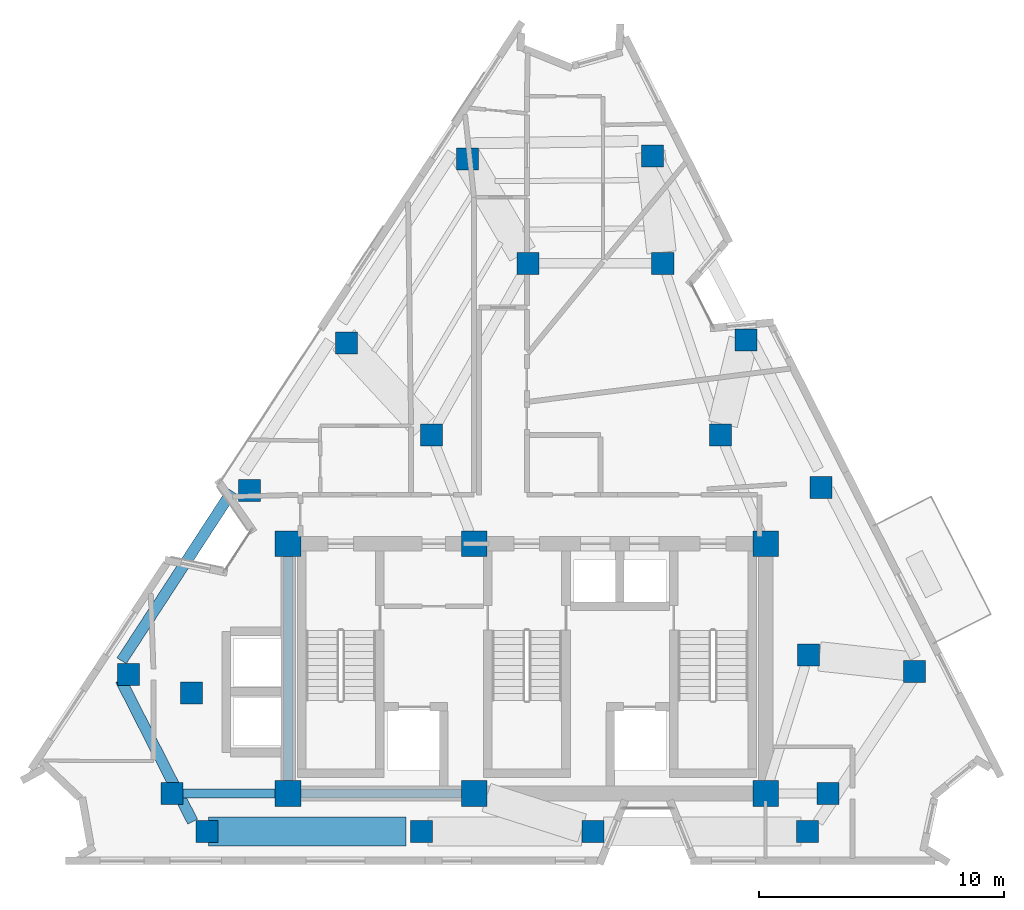
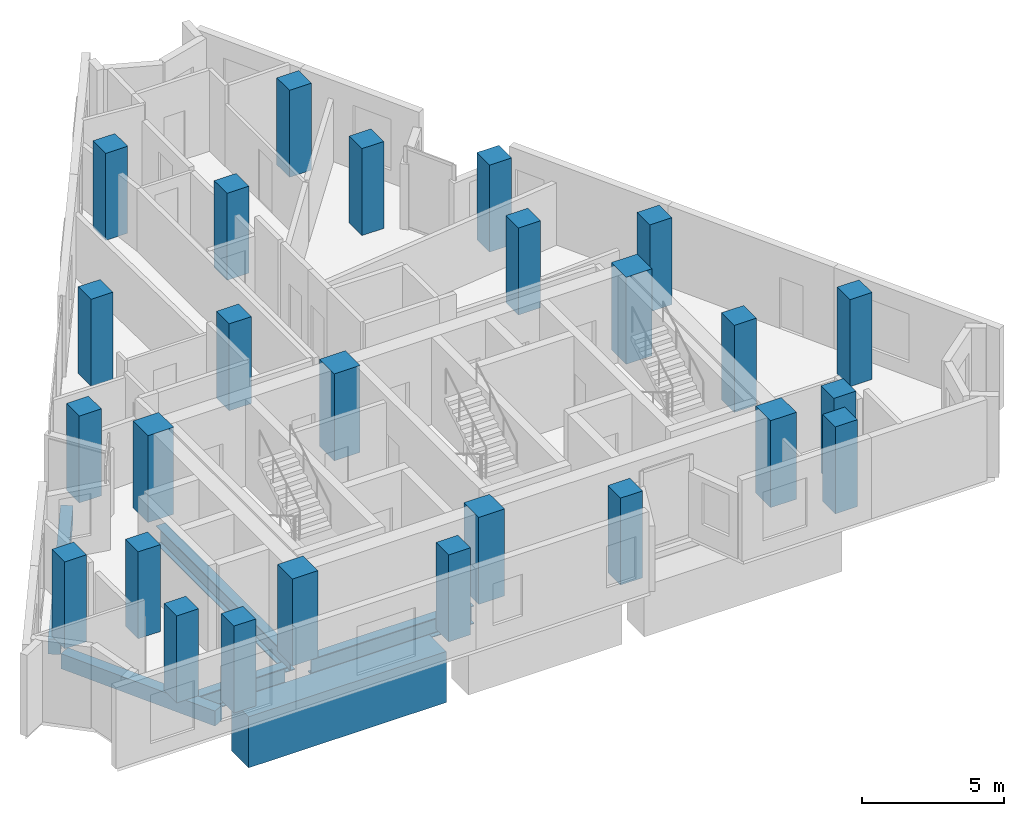
# One storey, part 1 of 10: 26 columns, 6 beams.
"""IFC4 building model written with IfcOpenShell, lengths in metres."""

from ifc_helpers import new_model, si_unit, direction, frame, origin, origin_2d, place, context, subcontext, project, spatial, rectangle, i_section, extrude, material, material_profile, profile_set, type_object, element, save


model = new_model("IFC4")

# Units and contexts
model_context = context("Model", 3, precision=1e-05, world=origin(), true_north=direction((0.0, 1.0)))
body_context = subcontext(model_context, "Body", "Model", "MODEL_VIEW")
ifc_project = project(units=[si_unit("LENGTHUNIT", "METRE"), si_unit("AREAUNIT", "SQUARE_METRE"), si_unit("VOLUMEUNIT", "CUBIC_METRE"), si_unit("PLANEANGLEUNIT", "RADIAN"), si_unit("MASSUNIT", "GRAM", prefix="KILO")], contexts=[model_context])

# Site, building, storey
site_placement = place(None, origin())
site = spatial("IfcSite", under=ifc_project, at=site_placement, CompositionType="ELEMENT")
building_placement = place(site_placement, origin())
building = spatial("IfcBuilding", under=site, at=building_placement, Name="Almagre Mirador Tower", CompositionType="ELEMENT")
storey_placement = place(building_placement, frame((0.0, 0.0, 229.5)))
storey = spatial("IfcBuildingStorey", under=building, at=storey_placement, Name="L59", CompositionType="ELEMENT", Elevation=229.5)

# Columns
ifc_material_1 = material(Name="Concrete C60/75", Category="concrete")
ifc_material_profile_1 = material_profile(ifc_material_1, rectangle(XDim=1.050048828125, YDim=1.050048828125, at=origin_2d()), Name="RC1050X1050")
ifc_profile_set_1 = profile_set([ifc_material_profile_1], Name="Concrete C60/75")
column_type_1 = type_object("IfcColumnType", Name="COL-RC1050", PredefinedType="COLUMN", material=ifc_profile_set_1)
for number, where, z_axis, x_axis, name in (
    (1, (27.550048828125, 4.550048828125, 0.0), (0.0, 0.0, 1.0), (1.0, 0.0, 0.0), "L59 core spine column CC1"),
    (2, (35.14990234375, 4.550048828125, 0.0), (0.0, 0.0, 1.0), (1.0, 0.0, 0.0), "L59 core spine column CC2"),
    (3, (47.050048828125, 4.550048828125, 0.0), (0.0, 0.0, 1.0), (1.0, 0.0, 0.0), "L59 core spine column CC3"),
    (4, (27.550048828125, 14.75, 0.0), (0.0, 0.0, 1.0), (1.0, 0.0, 0.0), "L59 core spine column CC4"),
    (5, (35.14990234375, 14.75, 0.0), (0.0, 0.0, 1.0), (1.0, 0.0, 0.0), "L59 core spine column CC5"),
    (6, (47.050048828125, 14.75, 0.0), (0.0, 0.0, 1.0), (1.0, 0.0, 0.0), "L59 core spine column CC6"),
):
    element("IfcColumn", number, at=place(storey_placement, frame(where, z_axis=z_axis, x_axis=x_axis)), inside=storey, type_object=column_type_1, Name=name, PredefinedType="COLUMN", context=body_context, shape_type="SweptSolid", body=[
        extrude(rectangle(XDim=1.050048828125, YDim=1.050048828125, at=origin_2d()), origin(), (0.0, 0.0, 1.0), 3.75),
    ])
ifc_material_2 = material(Name="Concrete C60/75", Category="concrete")
ifc_material_profile_2 = material_profile(ifc_material_2, rectangle(XDim=0.89990234375, YDim=0.89990234375, at=origin_2d()), Name="RC900X900")
ifc_profile_set_2 = profile_set([ifc_material_profile_2], Name="Concrete C60/75")
column_type_2 = type_object("IfcColumnType", Name="COL-RC900", PredefinedType="COLUMN", material=ifc_profile_set_2)
for number, where, z_axis, x_axis, name in (
    (7, (22.800048828125, 4.550048828125, 0.0), (0.0, 0.0, 1.0), (1.0, 0.0, 0.0), "L59 interior transfer column MC1"),
    (8, (49.60009765625, 4.550048828125, 0.0), (0.0, 0.0, 1.0), (1.0, 0.0, 0.0), "L59 interior transfer column MC2"),
    (9, (48.800048828125, 10.199951171875, 0.0), (0.0, 0.0, 1.0), (1.0, 0.0, 0.0), "L59 interior transfer column MC3"),
    (10, (45.199951171875, 19.199951171875, 0.0), (0.0, 0.0, 1.0), (1.0, 0.0, 0.0), "L59 interior transfer column MC5"),
    (11, (42.85009765625, 26.199951171875, 0.0), (0.0, 0.0, 1.0), (1.0, 0.0, 0.0), "L59 interior transfer column MC6"),
    (12, (37.35009765625, 26.199951171875, 0.0), (0.0, 0.0, 1.0), (1.0, 0.0, 0.0), "L59 interior transfer column MC7"),
    (13, (33.39990234375, 19.199951171875, 0.0), (0.0, 0.0, 1.0), (1.0, 0.0, 0.0), "L59 interior transfer column MC8"),
    (14, (23.60009765625, 8.64990234375, 0.0), (0.0, 0.0, 1.0), (1.0, 0.0, 0.0), "L59 interior transfer column MC10"),
    (15, (24.236083984375, 3.0, 0.0), (0.0, 0.0, 1.0), (1.0, 0.0, 0.0), "L59 perimeter column PC01"),
    (16, (32.99609375, 3.0, 0.0), (0.0, 0.0, 1.0), (1.0, 0.0, 0.0), "L59 perimeter column PC02"),
    (17, (40.00390625, 3.0, 0.0), (0.0, 0.0, 1.0), (1.0, 0.0, 0.0), "L59 perimeter column PC03"),
    (18, (48.763916015625, 3.0, 0.0), (0.0, 0.0, 1.0), (1.0, 0.0, 0.0), "L59 perimeter column PC04"),
    (19, (53.1279296875, 9.529052734375, 0.0), (0.0, 0.0, 1.0), (1.0, 0.0, 0.0), "L59 perimeter column PC05"),
    (20, (49.30810546875, 17.049072265625, 0.0), (0.0, 0.0, 1.0), (1.0, 0.0, 0.0), "L59 perimeter column PC06"),
    (21, (46.251953125, 23.06494140625, 0.0), (0.0, 0.0, 1.0), (1.0, 0.0, 0.0), "L59 perimeter column PC07"),
    (22, (42.431884765625, 30.5849609375, 0.0), (0.0, 0.0, 1.0), (1.0, 0.0, 0.0), "L59 perimeter column PC08"),
    (23, (34.868896484375, 30.468994140625, 0.0), (0.0, 0.0, 1.0), (1.0, 0.0, 0.0), "L59 perimeter column PC09"),
    (24, (29.928955078125, 22.948974609375, 0.0), (0.0, 0.0, 1.0), (1.0, 0.0, 0.0), "L59 perimeter column PC10"),
    (25, (25.97705078125, 16.93310546875, 0.0), (0.0, 0.0, 1.0), (1.0, 0.0, 0.0), "L59 perimeter column PC11"),
    (26, (21.037109375, 9.4130859375, 0.0), (0.0, 0.0, 1.0), (1.0, 0.0, 0.0), "L59 perimeter column PC12"),
):
    element("IfcColumn", number, at=place(storey_placement, frame(where, z_axis=z_axis, x_axis=x_axis)), inside=storey, type_object=column_type_2, Name=name, PredefinedType="COLUMN", context=body_context, shape_type="SweptSolid", body=[
        extrude(rectangle(XDim=0.89990234375, YDim=0.89990234375, at=origin_2d()), origin(), (0.0, 0.0, 1.0), 3.75),
    ])

# Beams
ifc_material_3 = material(Name="Precast concrete C50/60", Category="concrete")
ifc_material_profile_3 = material_profile(ifc_material_3, rectangle(XDim=0.449951171875, YDim=0.64990234375, at=origin_2d()), Name="RC450X650")
ifc_profile_set_3 = profile_set([ifc_material_profile_3], Name="Precast concrete C50/60")
beam_type_1 = type_object("IfcBeamType", Name="BM-SPN-RC450X650", PredefinedType="SPANDREL", material=ifc_profile_set_3)
beam_1_placement = place(storey_placement, frame((25.260498046875, 16.89599609375, -0.574951171875), z_axis=(-0.545607073801, -0.838041121317, 0.0), x_axis=(0.838041121317, -0.545607073801, 0.0)))
element("IfcBeam", 27, at=beam_1_placement, inside=storey, type_object=beam_type_1, Name="L59 perimeter spandrel beam PC11-PC12", PredefinedType="SPANDREL", context=body_context, shape_type="SweptSolid", body=[
    extrude(rectangle(XDim=0.449951171875, YDim=0.64990234375, at=origin_2d()), origin(), (0.0, 0.0, 1.0), 8.26416015625),
])
beam_2_placement = place(storey_placement, frame((20.709716796875, 9.19189453125, -0.574951171875), z_axis=(0.452992552256, -0.891514300278, 0.0), x_axis=(0.891514300278, 0.452992552256, 0.0)))
element("IfcBeam", 28, at=beam_2_placement, inside=storey, type_object=beam_type_1, Name="L59 perimeter spandrel beam PC12-PC01", PredefinedType="SPANDREL", context=body_context, shape_type="SweptSolid", body=[
    extrude(rectangle(XDim=0.449951171875, YDim=0.64990234375, at=origin_2d()), origin(), (0.0, 0.0, 1.0), 6.495361328125),
])
ifc_material_4 = material(Name="Steel ASTM A992 Grade 50", Category="steel")
ifc_material_profile_4 = material_profile(ifc_material_4, i_section(OverallWidth=0.384033203125, OverallDepth=0.784912109375, WebThickness=0.019775390625, FlangeThickness=0.033447265625, FilletRadius=0.02392578125, at=origin_2d()), Name="W30X211")
ifc_profile_set_4 = profile_set([ifc_material_profile_4], Name="Steel ASTM A992 Grade 50")
beam_type_2 = type_object("IfcBeamType", Name="BM-STL-W30X211", PredefinedType="BEAM", material=ifc_profile_set_4)
beam_3_placement = place(storey_placement, frame((28.074951171875, 4.550048828125, -0.642578125), z_axis=(1.0, 0.0, 0.0), x_axis=(0.0, 1.0, 0.0)))
element("IfcBeam", 29, at=beam_3_placement, inside=storey, type_object=beam_type_2, Name="L59 core tie girder CC1-CC2", PredefinedType="BEAM", context=body_context, shape_type="SweptSolid", body=[
    extrude(i_section(OverallWidth=0.384033203125, OverallDepth=0.784912109375, WebThickness=0.019775390625, FlangeThickness=0.033447265625, FilletRadius=0.02392578125, at=origin_2d()), origin(), (0.0, 0.0, 1.0), 6.550048828125),
])
beam_4_placement = place(storey_placement, frame((27.550048828125, 5.074951171875, -0.642578125), z_axis=(0.0, 1.0, 0.0), x_axis=(-1.0, 0.0, 0.0)))
element("IfcBeam", 30, at=beam_4_placement, inside=storey, type_object=beam_type_2, Name="L59 core tie girder CC1-CC4", PredefinedType="BEAM", context=body_context, shape_type="SweptSolid", body=[
    extrude(i_section(OverallWidth=0.384033203125, OverallDepth=0.784912109375, WebThickness=0.019775390625, FlangeThickness=0.033447265625, FilletRadius=0.02392578125, at=origin_2d()), origin(), (0.0, 0.0, 1.0), 9.150146484375),
])
beam_5_placement = place(storey_placement, frame((23.25, 4.550048828125, -0.642578125), z_axis=(1.0, 0.0, 0.0), x_axis=(0.0, 1.0, 0.0)))
element("IfcBeam", 31, at=beam_5_placement, inside=storey, type_object=beam_type_2, Name="L59 core tie girder MC1-CC1", PredefinedType="BEAM", context=body_context, shape_type="SweptSolid", body=[
    extrude(i_section(OverallWidth=0.384033203125, OverallDepth=0.784912109375, WebThickness=0.019775390625, FlangeThickness=0.033447265625, FilletRadius=0.02392578125, at=origin_2d()), origin(), (0.0, 0.0, 1.0), 3.77490234375),
])
ifc_material_5 = material(Name="Concrete C60/75", Category="concrete")
ifc_material_profile_5 = material_profile(ifc_material_5, rectangle(XDim=1.199951171875, YDim=2.199951171875, at=origin_2d()), Name="RC1200X2200")
ifc_profile_set_5 = profile_set([ifc_material_profile_5], Name="Concrete C60/75")
beam_type_3 = type_object("IfcBeamType", Name="BM-XFER-RC1200X2200", PredefinedType="BEAM", material=ifc_profile_set_5)
beam_6_placement = place(storey_placement, frame((24.305908203125, 3.0, -1.35009765625), z_axis=(1.0, 0.0, 0.0), x_axis=(0.0, 1.0, 0.0)))
element("IfcBeam", 32, at=beam_6_placement, inside=storey, type_object=beam_type_3, Name="L59 perimeter spandrel beam PC01-PC02", PredefinedType="BEAM", context=body_context, shape_type="SweptSolid", body=[
    extrude(rectangle(XDim=1.199951171875, YDim=2.199951171875, at=origin_2d()), origin(), (0.0, 0.0, 1.0), 8.06005859375),
])

save(model, "model.ifc")
